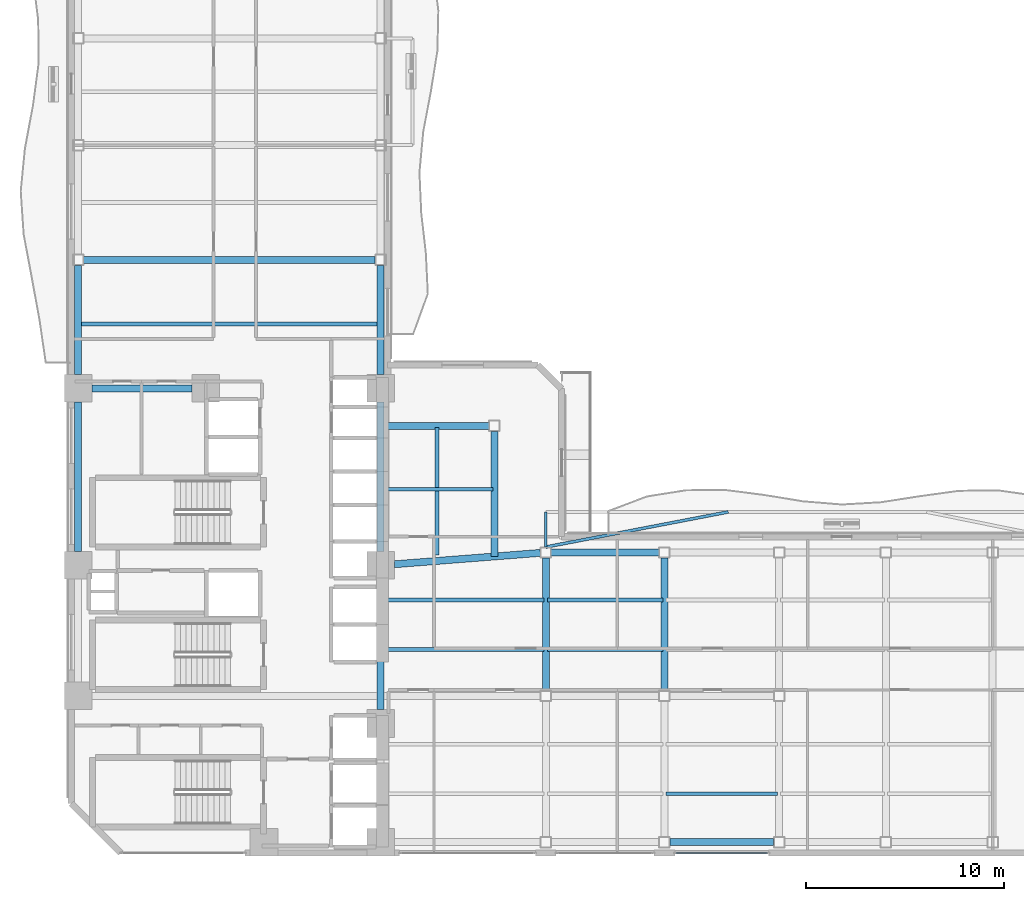
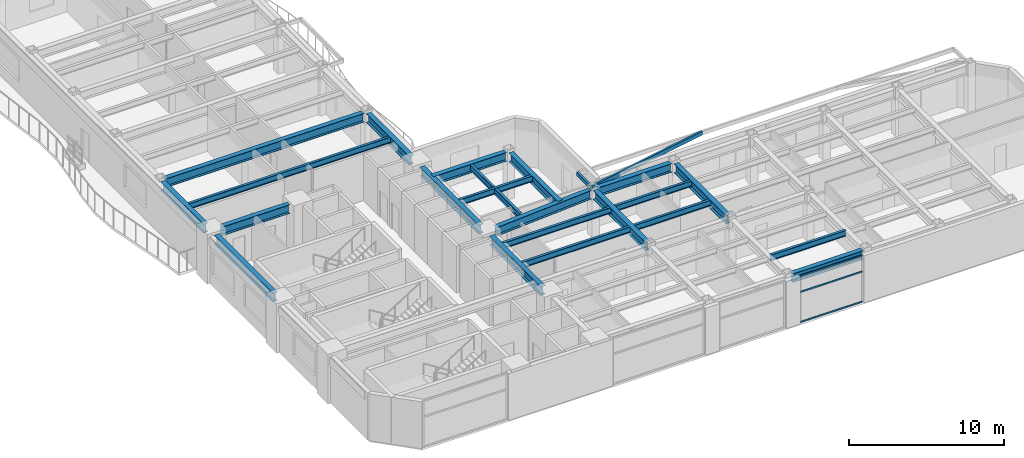
# One storey, part 6 of 17: 24 beams, 3 members, 1 element without a shape of its own.
"""IFC4 building model written with IfcOpenShell, lengths in metres."""

from ifc_helpers import new_model, si_unit, direction, frame, origin, origin_2d, place, context, subcontext, project, spatial, hollow_rectangle, i_section, extrude, material, layer, layer_set, material_profile, profile_set, type_object, element, aggregate, save


model = new_model("IFC4")

# Units and contexts
model_context = context("Model", 3, precision=1e-05, world=origin(), true_north=direction((0.0, 1.0)))
body_context = subcontext(model_context, "Body", "Model", "MODEL_VIEW")
ifc_project = project(units=[si_unit("LENGTHUNIT", "METRE"), si_unit("AREAUNIT", "SQUARE_METRE"), si_unit("VOLUMEUNIT", "CUBIC_METRE"), si_unit("PLANEANGLEUNIT", "RADIAN"), si_unit("MASSUNIT", "GRAM", prefix="KILO")], contexts=[model_context])

# Site, building, storey
site_placement = place(None, origin())
site = spatial("IfcSite", under=ifc_project, at=site_placement, CompositionType="ELEMENT")
building_placement = place(site_placement, origin())
building = spatial("IfcBuilding", under=site, at=building_placement, Name="Mawjaban Terraces University", CompositionType="ELEMENT")
storey_placement = place(building_placement, frame((0.0, 0.0, 85.60009765625)))
storey = spatial("IfcBuildingStorey", under=building, at=storey_placement, Name="L20", CompositionType="ELEMENT", Elevation=85.60009765625)

# Beams
ifc_material_1 = material(Name="Steel EN 10210-1 S355J2H", Category="steel")
ifc_material_profile_1 = material_profile(ifc_material_1, hollow_rectangle(XDim=0.14990234375, YDim=0.300048828125, WallThickness=0.012451171875, at=origin_2d()), Name="RHS300X150X12.5")
ifc_profile_set_1 = profile_set([ifc_material_profile_1], Name="Steel EN 10210-1 S355J2H")
beam_type_1 = type_object("IfcBeamType", Name="BalconyCantileverSpandrel_RHS", PredefinedType="SPANDREL", material=ifc_profile_set_1)
beam_1_placement = place(storey_placement, frame((46.0, 15.47509765625, 3.539794921875), z_axis=(0.0, 1.0, 0.0), x_axis=(-1.0, 0.0, 0.0)))
element("IfcBeam", 1, at=beam_1_placement, inside=storey, type_object=beam_type_1, Name="L20 Exterior Outrigger BAL-L21-N.1", PredefinedType="SPANDREL", context=body_context, shape_type="SweptSolid", body=[
    extrude(hollow_rectangle(XDim=0.14990234375, YDim=0.300048828125, WallThickness=0.012451171875, at=origin_2d()), origin(), (0.0, 0.0, 1.0), 1.77490234375),
])
beam_2_placement = place(storey_placement, frame((46.0, 15.47509765625, 3.539794921875), z_axis=(0.982008299639, 0.188837759572, 0.0), x_axis=(-0.188837759572, 0.982008299639, 0.0)))
element("IfcBeam", 2, at=beam_2_placement, inside=storey, type_object=beam_type_1, Name="L20 Exterior Diagonal Strut BAL-L21-N.1", PredefinedType="SPANDREL", context=body_context, shape_type="SweptSolid", body=[
    extrude(hollow_rectangle(XDim=0.14990234375, YDim=0.300048828125, WallThickness=0.012451171875, at=origin_2d()), origin(), (0.0, 0.0, 1.0), 9.399169921875),
])
ifc_material_2 = material(Name="Steel ASTM A572 Grade 50", Category="steel")
ifc_material_profile_2 = material_profile(ifc_material_2, i_section(OverallWidth=0.35498046875, OverallDepth=0.695068359375, WebThickness=0.015380859375, FlangeThickness=0.02490234375, at=origin_2d()), Name="W690X217")
ifc_profile_set_2 = profile_set([ifc_material_profile_2], Name="Steel ASTM A572 Grade 50")
beam_type_2 = type_object("IfcBeamType", Name="Beam_B_W690X217", PredefinedType="BEAM", material=ifc_profile_set_2)
beam_3_placement = place(storey_placement, frame((52.27490234375, 0.550048828125, 3.343017578125), z_axis=(1.0, 0.0, 0.0), x_axis=(0.0, 1.0, 0.0)))
element("IfcBeam", 3, at=beam_3_placement, inside=storey, type_object=beam_type_2, Name="L20 Beam BM-L20-EW-03", PredefinedType="BEAM", context=body_context, shape_type="SweptSolid", body=[
    extrude(i_section(OverallWidth=0.35498046875, OverallDepth=0.695068359375, WebThickness=0.015380859375, FlangeThickness=0.02490234375, at=origin_2d()), origin(), (0.0, 0.0, 1.0), 5.25),
])
beam_4_placement = place(storey_placement, frame((46.27490234375, 15.199951171875, 3.343017578125), z_axis=(1.0, 0.0, 0.0), x_axis=(0.0, 1.0, 0.0)))
element("IfcBeam", 4, at=beam_4_placement, inside=storey, type_object=beam_type_2, Name="L20 Beam BM-L20-EW-09", PredefinedType="BEAM", context=body_context, shape_type="SweptSolid", body=[
    extrude(i_section(OverallWidth=0.35498046875, OverallDepth=0.695068359375, WebThickness=0.015380859375, FlangeThickness=0.02490234375, at=origin_2d()), origin(), (0.0, 0.0, 1.0), 5.4501953125),
])
beam_5_placement = place(storey_placement, frame((23.050048828125, 23.5, 3.343017578125), z_axis=(1.0, 0.0, 0.0), x_axis=(0.0, 1.0, 0.0)))
element("IfcBeam", 5, at=beam_5_placement, inside=storey, type_object=beam_type_2, Name="L20 Beam BM-L20-EW-14", PredefinedType="BEAM", context=body_context, shape_type="SweptSolid", body=[
    extrude(i_section(OverallWidth=0.35498046875, OverallDepth=0.695068359375, WebThickness=0.015380859375, FlangeThickness=0.02490234375, at=origin_2d()), origin(), (0.0, 0.0, 1.0), 5.050048828125),
])
beam_6_placement = place(storey_placement, frame((22.625, 30.0, 3.343017578125), z_axis=(1.0, 0.0, 0.0), x_axis=(0.0, 1.0, 0.0)))
element("IfcBeam", 6, at=beam_6_placement, inside=storey, type_object=beam_type_2, Name="L20 Beam BM-L20-EW-15", PredefinedType="BEAM", context=body_context, shape_type="SweptSolid", body=[
    extrude(i_section(OverallWidth=0.35498046875, OverallDepth=0.695068359375, WebThickness=0.015380859375, FlangeThickness=0.02490234375, at=origin_2d()), origin(), (0.0, 0.0, 1.0), 14.75),
])
beam_7_placement = place(storey_placement, frame((22.35009765625, 15.25, 3.343017578125), z_axis=(0.0, 1.0, 0.0), x_axis=(-1.0, 0.0, 0.0)))
element("IfcBeam", 7, at=beam_7_placement, inside=storey, type_object=beam_type_2, Name="L20 Beam BM-L20-NS-02", PredefinedType="BEAM", context=body_context, shape_type="SweptSolid", body=[
    extrude(i_section(OverallWidth=0.35498046875, OverallDepth=0.695068359375, WebThickness=0.015380859375, FlangeThickness=0.02490234375, at=origin_2d()), origin(), (0.0, 0.0, 1.0), 7.550048828125),
])
beam_8_placement = place(storey_placement, frame((22.35009765625, 24.199951171875, 3.343017578125), z_axis=(0.0, 1.0, 0.0), x_axis=(-1.0, 0.0, 0.0)))
element("IfcBeam", 8, at=beam_8_placement, inside=storey, type_object=beam_type_2, Name="L20 Beam BM-L20-NS-03", PredefinedType="BEAM", context=body_context, shape_type="SweptSolid", body=[
    extrude(i_section(OverallWidth=0.35498046875, OverallDepth=0.695068359375, WebThickness=0.015380859375, FlangeThickness=0.02490234375, at=origin_2d()), origin(), (0.0, 0.0, 1.0), 5.525146484375),
])
beam_9_placement = place(storey_placement, frame((37.64990234375, 7.25, 3.343017578125), z_axis=(0.0, 1.0, 0.0), x_axis=(-1.0, 0.0, 0.0)))
element("IfcBeam", 9, at=beam_9_placement, inside=storey, type_object=beam_type_2, Name="L20 Beam BM-L20-NS-08", PredefinedType="BEAM", context=body_context, shape_type="SweptSolid", body=[
    extrude(i_section(OverallWidth=0.35498046875, OverallDepth=0.695068359375, WebThickness=0.015380859375, FlangeThickness=0.02490234375, at=origin_2d()), origin(), (0.0, 0.0, 1.0), 6.60009765625),
])
beam_10_placement = place(storey_placement, frame((37.64990234375, 15.25, 3.343017578125), z_axis=(0.0, 1.0, 0.0), x_axis=(-1.0, 0.0, 0.0)))
element("IfcBeam", 10, at=beam_10_placement, inside=storey, type_object=beam_type_2, Name="L20 Beam BM-L20-NS-09", PredefinedType="BEAM", context=body_context, shape_type="SweptSolid", body=[
    extrude(i_section(OverallWidth=0.35498046875, OverallDepth=0.695068359375, WebThickness=0.015380859375, FlangeThickness=0.02490234375, at=origin_2d()), origin(), (0.0, 0.0, 1.0), 7.550048828125),
])
beam_11_placement = place(storey_placement, frame((37.64990234375, 24.199951171875, 3.343017578125), z_axis=(0.0, 1.0, 0.0), x_axis=(-1.0, 0.0, 0.0)))
element("IfcBeam", 11, at=beam_11_placement, inside=storey, type_object=beam_type_2, Name="L20 Beam BM-L20-NS-10", PredefinedType="BEAM", context=body_context, shape_type="SweptSolid", body=[
    extrude(i_section(OverallWidth=0.35498046875, OverallDepth=0.695068359375, WebThickness=0.015380859375, FlangeThickness=0.02490234375, at=origin_2d()), origin(), (0.0, 0.0, 1.0), 5.525146484375),
])
for number, where, z_axis, x_axis, name in (
    (12, (46.0, 8.22509765625, 3.343017578125), (0.0, 1.0, 0.0), (-1.0, 0.0, 0.0), "L20 Beam BM-L20-NS-15"),
    (13, (52.0, 8.22509765625, 3.343017578125), (0.0, 1.0, 0.0), (-1.0, 0.0, 0.0), "L20 Beam BM-L20-NS-17"),
):
    element("IfcBeam", number, at=place(storey_placement, frame(where, z_axis=z_axis, x_axis=x_axis)), inside=storey, type_object=beam_type_2, Name=name, PredefinedType="BEAM", context=body_context, shape_type="SweptSolid", body=[
        extrude(i_section(OverallWidth=0.35498046875, OverallDepth=0.695068359375, WebThickness=0.015380859375, FlangeThickness=0.02490234375, at=origin_2d()), origin(), (0.0, 0.0, 1.0), 6.699951171875),
    ])
beam_12_placement = place(storey_placement, frame((38.347900390625, 14.60400390625, 3.343017578125), z_axis=(0.996977531908, 0.077690416851, 0.0), x_axis=(-0.077690416851, 0.996977531908, 0.0)))
element("IfcBeam", 14, at=beam_12_placement, inside=storey, type_object=beam_type_2, Name="L20 Beam BM-L20-CTIE", PredefinedType="BEAM", context=body_context, shape_type="SweptSolid", body=[
    extrude(i_section(OverallWidth=0.35498046875, OverallDepth=0.695068359375, WebThickness=0.015380859375, FlangeThickness=0.02490234375, at=origin_2d()), origin(), (0.0, 0.0, 1.0), 7.400634765625),
])
beam_13_placement = place(storey_placement, frame((37.679931640625, 21.60009765625, 3.343017578125), z_axis=(1.0, 0.0, 0.0), x_axis=(0.0, 1.0, 0.0)))
element("IfcBeam", 15, at=beam_13_placement, inside=storey, type_object=beam_type_2, Name="L20 Spur Tie Girder West", PredefinedType="BEAM", context=body_context, shape_type="SweptSolid", body=[
    extrude(i_section(OverallWidth=0.35498046875, OverallDepth=0.695068359375, WebThickness=0.015380859375, FlangeThickness=0.02490234375, at=origin_2d()), origin(), (0.0, 0.0, 1.0), 5.445068359375),
])
beam_14_placement = place(storey_placement, frame((43.39990234375, 15.0, 3.343017578125), z_axis=(0.0, 1.0, 0.0), x_axis=(-1.0, 0.0, 0.0)))
element("IfcBeam", 16, at=beam_14_placement, inside=storey, type_object=beam_type_2, Name="L20 Spur Tie Girder South", PredefinedType="BEAM", context=body_context, shape_type="SweptSolid", body=[
    extrude(i_section(OverallWidth=0.35498046875, OverallDepth=0.695068359375, WebThickness=0.015380859375, FlangeThickness=0.02490234375, at=origin_2d()), origin(), (0.0, 0.0, 1.0), 6.324951171875),
])
ifc_material_profile_3 = material_profile(ifc_material_2, i_section(OverallWidth=0.19189453125, OverallDepth=0.462890625, WebThickness=0.010498046875, FlangeThickness=0.017578125, at=origin_2d()), Name="W460X89")
ifc_profile_set_3 = profile_set([ifc_material_profile_3], Name="Steel ASTM A572 Grade 50")
beam_type_3 = type_object("IfcBeamType", Name="Beam_J_W460X89", PredefinedType="JOIST", material=ifc_profile_set_3)
beam_15_placement = place(storey_placement, frame((52.080078125, 3.0, 3.458984375), z_axis=(1.0, 0.0, 0.0), x_axis=(0.0, 1.0, 0.0)))
element("IfcBeam", 17, at=beam_15_placement, inside=storey, type_object=beam_type_3, Name="L20 Composite Joist JST-L20-03", PredefinedType="JOIST", context=body_context, shape_type="SweptSolid", body=[
    extrude(i_section(OverallWidth=0.19189453125, OverallDepth=0.462890625, WebThickness=0.010498046875, FlangeThickness=0.017578125, at=origin_2d()), origin(), (0.0, 0.0, 1.0), 5.639892578125),
])
beam_16_placement = place(storey_placement, frame((37.72998046875, 10.300048828125, 3.458984375), z_axis=(1.0, 0.0, 0.0), x_axis=(0.0, 1.0, 0.0)))
element("IfcBeam", 18, at=beam_16_placement, inside=storey, type_object=beam_type_3, Name="L20 Composite Joist JST-L20-11", PredefinedType="JOIST", context=body_context, shape_type="SweptSolid", body=[
    extrude(i_section(OverallWidth=0.19189453125, OverallDepth=0.462890625, WebThickness=0.010498046875, FlangeThickness=0.017578125, at=origin_2d()), origin(), (0.0, 0.0, 1.0), 8.18994140625),
])
beam_17_placement = place(storey_placement, frame((46.080078125, 10.300048828125, 3.458984375), z_axis=(1.0, 0.0, 0.0), x_axis=(0.0, 1.0, 0.0)))
element("IfcBeam", 19, at=beam_17_placement, inside=storey, type_object=beam_type_3, Name="L20 Composite Joist JST-L20-12", PredefinedType="JOIST", context=body_context, shape_type="SweptSolid", body=[
    extrude(i_section(OverallWidth=0.19189453125, OverallDepth=0.462890625, WebThickness=0.010498046875, FlangeThickness=0.017578125, at=origin_2d()), origin(), (0.0, 0.0, 1.0), 5.83984375),
])
beam_18_placement = place(storey_placement, frame((37.72998046875, 12.800048828125, 3.458984375), z_axis=(1.0, 0.0, 0.0), x_axis=(0.0, 1.0, 0.0)))
element("IfcBeam", 20, at=beam_18_placement, inside=storey, type_object=beam_type_3, Name="L20 Composite Joist JST-L20-16", PredefinedType="JOIST", context=body_context, shape_type="SweptSolid", body=[
    extrude(i_section(OverallWidth=0.19189453125, OverallDepth=0.462890625, WebThickness=0.010498046875, FlangeThickness=0.017578125, at=origin_2d()), origin(), (0.0, 0.0, 1.0), 8.18994140625),
])
beam_19_placement = place(storey_placement, frame((46.080078125, 12.800048828125, 3.458984375), z_axis=(1.0, 0.0, 0.0), x_axis=(0.0, 1.0, 0.0)))
element("IfcBeam", 21, at=beam_19_placement, inside=storey, type_object=beam_type_3, Name="L20 Composite Joist JST-L20-17", PredefinedType="JOIST", context=body_context, shape_type="SweptSolid", body=[
    extrude(i_section(OverallWidth=0.19189453125, OverallDepth=0.462890625, WebThickness=0.010498046875, FlangeThickness=0.017578125, at=origin_2d()), origin(), (0.0, 0.0, 1.0), 5.83984375),
])
beam_20_placement = place(storey_placement, frame((37.72998046875, 18.39990234375, 3.458984375), z_axis=(1.0, 0.0, 0.0), x_axis=(0.0, 1.0, 0.0)))
element("IfcBeam", 22, at=beam_20_placement, inside=storey, type_object=beam_type_3, Name="L20 Composite Joist JST-L20-21", PredefinedType="JOIST", context=body_context, shape_type="SweptSolid", body=[
    extrude(i_section(OverallWidth=0.19189453125, OverallDepth=0.462890625, WebThickness=0.010498046875, FlangeThickness=0.017578125, at=origin_2d()), origin(), (0.0, 0.0, 1.0), 5.590087890625),
])
beam_21_placement = place(storey_placement, frame((22.429931640625, 26.75, 3.458984375), z_axis=(1.0, 0.0, 0.0), x_axis=(0.0, 1.0, 0.0)))
element("IfcBeam", 23, at=beam_21_placement, inside=storey, type_object=beam_type_3, Name="L20 Composite Joist JST-L20-22", PredefinedType="JOIST", context=body_context, shape_type="SweptSolid", body=[
    extrude(i_section(OverallWidth=0.19189453125, OverallDepth=0.462890625, WebThickness=0.010498046875, FlangeThickness=0.017578125, at=origin_2d()), origin(), (0.0, 0.0, 1.0), 15.14013671875),
])
beam_22_placement = place(storey_placement, frame((40.5, 15.080078125, 3.458984375), z_axis=(0.0, 1.0, 0.0), x_axis=(-1.0, 0.0, 0.0)))
element("IfcBeam", 24, at=beam_22_placement, inside=storey, type_object=beam_type_3, Name="L20 Composite Joist JST-L20-NS-26", PredefinedType="JOIST", context=body_context, shape_type="SweptSolid", body=[
    extrude(i_section(OverallWidth=0.19189453125, OverallDepth=0.462890625, WebThickness=0.010498046875, FlangeThickness=0.017578125, at=origin_2d()), origin(), (0.0, 0.0, 1.0), 6.43994140625),
])

# Curtain wall, members
ifc_material_3 = material(Name="Anodised aluminium 6063-T6 and solar-control low-E glass", Category="aluminium")
ifc_layer = layer(ifc_material_3, 0.1650390625)
ifc_layer_set = layer_set([ifc_layer], Name="Anodised aluminium 6063-T6 and solar-control low-E glass")
curtain_wall_type = type_object("IfcCurtainWallType", Name="CWSystem_04_EastWing", PredefinedType="NOTDEFINED", material=ifc_layer_set)
curtain_wall_placement = place(storey_placement, origin())
curtain_wall = element("IfcCurtainWall", 25, at=curtain_wall_placement, inside=storey, type_object=curtain_wall_type, Name="L20 Curtain Wall CW-04 Run 1.4", PredefinedType="NOTDEFINED")
ifc_material_4 = material(Name="Anodised aluminium 6063-T6", Category="aluminium")
ifc_material_profile_4 = material_profile(ifc_material_4, hollow_rectangle(XDim=0.06005859375, YDim=0.1201171875, WallThickness=0.00341796875, at=origin_2d()), Name="ALU120X60X3.5")
ifc_profile_set_4 = profile_set([ifc_material_profile_4], Name="Anodised aluminium 6063-T6")
member_type = type_object("IfcMemberType", Name="Transom_CW-04", PredefinedType="NOTDEFINED", material=ifc_profile_set_4)
member_1_placement = place(storey_placement, frame((52.590087890625, 0.0, 0.02978515625), z_axis=(1.0, 0.0, 0.0), x_axis=(0.0, 1.0, 0.0)))
member_1 = element("IfcMember", 26, at=member_1_placement, type_object=member_type, Name="CW-04 transom 1.1", ObjectType="TRANSOM", PredefinedType="USERDEFINED", context=body_context, shape_type="SweptSolid", body=[
    extrude(hollow_rectangle(XDim=0.06005859375, YDim=0.1201171875, WallThickness=0.00341796875, at=origin_2d()), origin(), (0.0, 0.0, 1.0), 4.619873046875),
])
member_2_placement = place(storey_placement, frame((52.590087890625, 0.0, 2.39892578125), z_axis=(1.0, 0.0, 0.0), x_axis=(0.0, 1.0, 0.0)))
member_2 = element("IfcMember", 27, at=member_2_placement, type_object=member_type, Name="CW-04 transom 1.2", ObjectType="TRANSOM", PredefinedType="USERDEFINED", context=body_context, shape_type="SweptSolid", body=[
    extrude(hollow_rectangle(XDim=0.06005859375, YDim=0.1201171875, WallThickness=0.00341796875, at=origin_2d()), origin(), (0.0, 0.0, 1.0), 4.619873046875),
])
member_3_placement = place(storey_placement, frame((52.590087890625, 0.0, 3.659912109375), z_axis=(1.0, 0.0, 0.0), x_axis=(0.0, 1.0, 0.0)))
member_3 = element("IfcMember", 28, at=member_3_placement, type_object=member_type, Name="CW-04 transom 1.3", ObjectType="TRANSOM", PredefinedType="USERDEFINED", context=body_context, shape_type="SweptSolid", body=[
    extrude(hollow_rectangle(XDim=0.06005859375, YDim=0.1201171875, WallThickness=0.00341796875, at=origin_2d()), origin(), (0.0, 0.0, 1.0), 4.619873046875),
])
aggregate(curtain_wall, [member_1, member_2, member_3])

save(model, "model.ifc")
